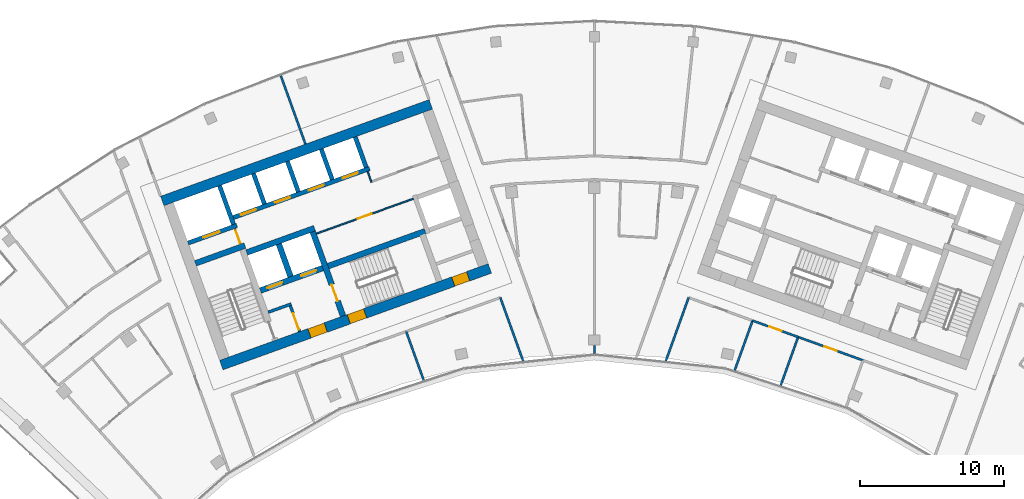
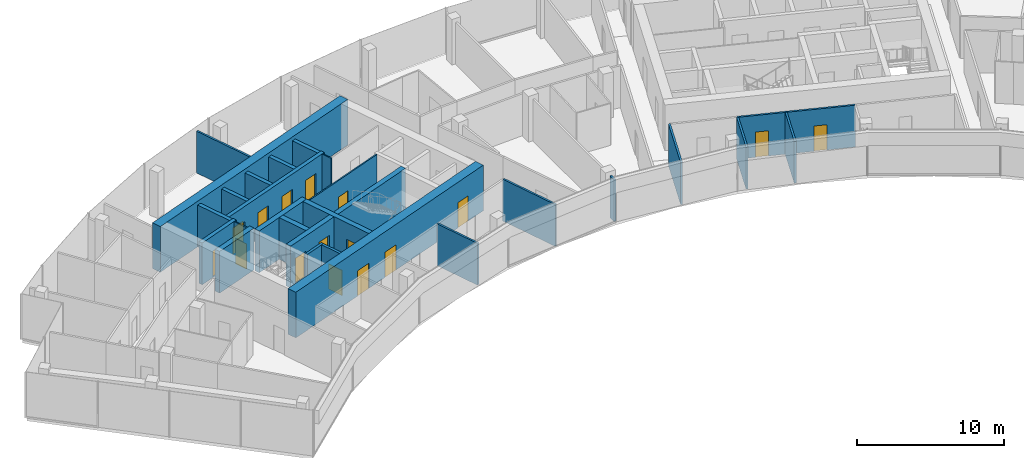
# One storey, part 13 of 18: 28 walls, 16 doors, 16 openings.
"""IFC4 building model written with IfcOpenShell, lengths in metres."""

from ifc_helpers import new_model, si_unit, direction, frame, frame_2d, origin, place, context, subcontext, project, spatial, rectangle, extrude, material, layer, layer_set, type_object, element, fill, save


model = new_model("IFC4")

# Units and contexts
model_context = context("Model", 3, precision=1e-05, world=origin(), true_north=direction((0.0, 1.0)))
body_context = subcontext(model_context, "Body", "Model", "MODEL_VIEW")
ifc_project = project(units=[si_unit("LENGTHUNIT", "METRE"), si_unit("AREAUNIT", "SQUARE_METRE"), si_unit("VOLUMEUNIT", "CUBIC_METRE"), si_unit("PLANEANGLEUNIT", "RADIAN"), si_unit("MASSUNIT", "GRAM", prefix="KILO")], contexts=[model_context])

# Site, building, storey
site_placement = place(None, origin())
site = spatial("IfcSite", under=ifc_project, at=site_placement, CompositionType="ELEMENT")
building_placement = place(site_placement, origin())
building = spatial("IfcBuilding", under=site, at=building_placement, Name="Stone Belt Terrace Tower", CompositionType="ELEMENT")
storey_placement = place(building_placement, frame((0.0, 0.0, 299.800048828125)))
storey = spatial("IfcBuildingStorey", under=building, at=storey_placement, Name="L73", CompositionType="ELEMENT", Elevation=299.800048828125)

# Wall, opening, door
ifc_material_1 = material(Name="Plasterboard partition")
ifc_layer_1 = layer(ifc_material_1, 0.10009765625)
ifc_layer_set_1 = layer_set([ifc_layer_1], Name="Core partition 100")
wall_type_1 = type_object("IfcWallType", Name="Core partition 100", PredefinedType="PARTITIONING", material=ifc_layer_set_1)
wall_1_placement = place(storey_placement, frame((-24.555908203125, 51.10400390625, 0.0), z_axis=(0.0, 0.0, 1.0), x_axis=(-0.338621735342, 0.94092258999, 0.0)))
wall_1 = element("IfcWall", 1, at=wall_1_placement, inside=storey, type_object=wall_type_1, Name="Core A wall", PredefinedType="PARTITIONING", context=body_context, shape_type="SweptSolid", body=[
    extrude(rectangle(XDim=1.14990234375, YDim=0.10009765625, at=frame_2d((0.574951171875, 0.0))), origin(), (0.0, 0.0, 1.0), 3.47998046875),
])
opening_1_placement = place(wall_1_placement, frame((0.050048828125, 0.0, 0.0)))
opening_1 = element("IfcOpeningElement", 2, at=opening_1_placement, cuts=wall_1, Name="Opening L73-C03", PredefinedType="OPENING", context=body_context, shape_type="SweptSolid", body=[
    extrude(rectangle(XDim=1.0, YDim=2.10009765625, at=frame_2d((0.5, 1.050048828125))), frame((0.0, 0.06005859375, 0.0), z_axis=(0.0, -1.0, 0.0), x_axis=(1.0, 0.0, 0.0)), (0.0, 0.0, 1.0), 0.1201171875),
])
ifc_material_2 = material(Name="Timber door leaf", Category="wood")
door_type_1 = type_object("IfcDoorType", Name="Core room door 1000", OperationType="SINGLE_SWING_LEFT", PredefinedType="DOOR", material=ifc_material_2)
door_1_placement = place(opening_1_placement, origin())
door_1 = element("IfcDoor", 3, at=door_1_placement, inside=storey, type_object=door_type_1, Name="Service lift lobby door core A", OperationType="SINGLE_SWING_LEFT", OverallHeight=2.10009765625, OverallWidth=1.0, PredefinedType="DOOR", context=body_context, shape_type="SweptSolid", body=[
    extrude(rectangle(XDim=1.0, YDim=2.10009765625, at=frame_2d((0.5, 1.050048828125))), frame((0.0, 0.02490234375, 0.0), z_axis=(0.0, -1.0, 0.0), x_axis=(1.0, 0.0, 0.0)), (0.0, 0.0, 1.0), 0.050048828125),
])
fill(opening_1, door_1)

wall_2_placement = place(storey_placement, frame((-19.29052734375, 51.829833984375, 0.0), z_axis=(0.0, 0.0, 1.0), x_axis=(0.94092179465, 0.338623945331, 0.0)))
wall_2 = element("IfcWall", 4, at=wall_2_placement, inside=storey, type_object=wall_type_1, Name="Core A wall", PredefinedType="PARTITIONING", context=body_context, shape_type="SweptSolid", body=[
    extrude(rectangle(XDim=7.14990234375, YDim=0.10009765625, at=frame_2d((3.574951171875, 0.0))), origin(), (0.0, 0.0, 1.0), 3.47998046875),
])
opening_2_placement = place(wall_2_placement, frame((3.050048828125, 0.0, 0.0)))
opening_2 = element("IfcOpeningElement", 5, at=opening_2_placement, cuts=wall_2, Name="Opening L73-C02", PredefinedType="OPENING", context=body_context, shape_type="SweptSolid", body=[
    extrude(rectangle(XDim=1.0, YDim=2.10009765625, at=frame_2d((0.5, 1.050048828125))), frame((0.0, 0.06005859375, 0.0), z_axis=(0.0, -1.0, 0.0), x_axis=(1.0, 0.0, 0.0)), (0.0, 0.0, 1.0), 0.1201171875),
])
door_2_placement = place(opening_2_placement, origin())
door_2 = element("IfcDoor", 6, at=door_2_placement, inside=storey, type_object=door_type_1, Name="Door to Electrical room core A", OperationType="SINGLE_SWING_LEFT", OverallHeight=2.10009765625, OverallWidth=1.0, PredefinedType="DOOR", context=body_context, shape_type="SweptSolid", body=[
    extrude(rectangle(XDim=1.0, YDim=2.10009765625, at=frame_2d((0.5, 1.050048828125))), frame((0.0, 0.02490234375, 0.0), z_axis=(0.0, -1.0, 0.0), x_axis=(1.0, 0.0, 0.0)), (0.0, 0.0, 1.0), 0.050048828125),
])
fill(opening_2, door_2)

# Wall
wall_3_placement = place(storey_placement, frame((-15.46826171875, 55.384033203125, 0.0), z_axis=(0.0, 0.0, 1.0), x_axis=(-0.338481684961, 0.940972979923, 0.0)))
element("IfcWall", 7, at=wall_3_placement, inside=storey, type_object=wall_type_1, Name="Core A wall", PredefinedType="PARTITIONING", context=body_context, shape_type="SweptSolid", body=[
    extrude(rectangle(XDim=0.7998046875, YDim=0.10009765625, at=frame_2d((0.39990234375, 0.0))), origin(), (0.0, 0.0, 1.0), 3.47998046875),
])

# Wall, openings, doors
ifc_material_3 = material(Name="Concrete B60", Category="concrete")
ifc_layer_2 = layer(ifc_material_3, 0.699951171875)
ifc_layer_set_2 = layer_set([ifc_layer_2], Name="Core wall 700 B60")
wall_type_2 = type_object("IfcWallType", Name="Core wall 700 B60", PredefinedType="SHEAR", material=ifc_layer_set_2)
wall_4_placement = place(storey_placement, frame((-25.890869140625, 42.705810546875, 0.0), z_axis=(0.0, 0.0, 1.0), x_axis=(0.940925130461, 0.338614676094, 0.0)))
wall_4 = element("IfcWall", 8, at=wall_4_placement, inside=storey, type_object=wall_type_2, Name="Core A wall concave L73", PredefinedType="SHEAR", context=body_context, shape_type="SweptSolid", body=[
    extrude(rectangle(XDim=19.800048828125, YDim=0.699951171875, at=frame_2d((9.89990234375, 0.0))), origin(), (0.0, 0.0, 1.0), 3.800048828125),
])
opening_3_placement = place(wall_4_placement, frame((6.5, 0.0, 0.0)))
opening_3 = element("IfcOpeningElement", 9, at=opening_3_placement, cuts=wall_4, Name="Opening L73-C07", PredefinedType="OPENING", context=body_context, shape_type="SweptSolid", body=[
    extrude(rectangle(XDim=1.199951171875, YDim=2.10009765625, at=frame_2d((0.60009765625, 1.050048828125))), frame((0.0, 0.35986328125, 0.0), z_axis=(0.0, -1.0, 0.0), x_axis=(1.0, 0.0, 0.0)), (0.0, 0.0, 1.0), 0.719970703125),
])
opening_4_placement = place(wall_4_placement, frame((9.39990234375, 0.0, 0.0)))
opening_4 = element("IfcOpeningElement", 10, at=opening_4_placement, cuts=wall_4, Name="Opening L73-C09", PredefinedType="OPENING", context=body_context, shape_type="SweptSolid", body=[
    extrude(rectangle(XDim=1.199951171875, YDim=2.10009765625, at=frame_2d((0.60009765625, 1.050048828125))), frame((0.0, 0.35986328125, 0.0), z_axis=(0.0, -1.0, 0.0), x_axis=(1.0, 0.0, 0.0)), (0.0, 0.0, 1.0), 0.719970703125),
])
opening_5_placement = place(wall_4_placement, frame((17.10009765625, 0.0, 0.0)))
opening_5 = element("IfcOpeningElement", 11, at=opening_5_placement, cuts=wall_4, Name="Opening L73-C11", PredefinedType="OPENING", context=body_context, shape_type="SweptSolid", body=[
    extrude(rectangle(XDim=1.10009765625, YDim=2.10009765625, at=frame_2d((0.550048828125, 1.050048828125))), frame((0.0, 0.35986328125, 0.0), z_axis=(0.0, -1.0, 0.0), x_axis=(1.0, 0.0, 0.0)), (0.0, 0.0, 1.0), 0.719970703125),
])
door_type_2 = type_object("IfcDoorType", Name="Core room door 1100", OperationType="SINGLE_SWING_LEFT", PredefinedType="DOOR", material=ifc_material_2)
door_3_placement = place(opening_5_placement, origin())
door_3 = element("IfcDoor", 12, at=door_3_placement, inside=storey, type_object=door_type_2, Name="Door to Pipe riser core A", OperationType="SINGLE_SWING_LEFT", OverallHeight=2.10009765625, OverallWidth=1.10009765625, PredefinedType="DOOR", context=body_context, shape_type="SweptSolid", body=[
    extrude(rectangle(XDim=1.10009765625, YDim=2.10009765625, at=frame_2d((0.550048828125, 1.050048828125))), frame((0.0, 0.330078125, 0.0), z_axis=(0.0, -1.0, 0.0), x_axis=(1.0, 0.0, 0.0)), (0.0, 0.0, 1.0), 0.659912109375),
])
fill(opening_5, door_3)
ifc_material_4 = material(Name="Steel door leaf", Category="steel")
door_type_3 = type_object("IfcDoorType", Name="Fire-fighting lobby door 1200", OperationType="SINGLE_SWING_LEFT", PredefinedType="DOOR", material=ifc_material_4)
door_4_placement = place(opening_3_placement, origin())
door_4 = element("IfcDoor", 13, at=door_4_placement, inside=storey, type_object=door_type_3, Name="Fire-fighting lobby door core A", OperationType="SINGLE_SWING_LEFT", OverallHeight=2.10009765625, OverallWidth=1.199951171875, PredefinedType="DOOR", context=body_context, shape_type="SweptSolid", body=[
    extrude(rectangle(XDim=1.199951171875, YDim=2.10009765625, at=frame_2d((0.60009765625, 1.050048828125))), frame((0.0, 0.330078125, 0.0), z_axis=(0.0, -1.0, 0.0), x_axis=(1.0, 0.0, 0.0)), (0.0, 0.0, 1.0), 0.659912109375),
])
fill(opening_3, door_4)
door_type_4 = type_object("IfcDoorType", Name="Stair door 1200", OperationType="SINGLE_SWING_LEFT", PredefinedType="DOOR", material=ifc_material_4)
door_5_placement = place(opening_4_placement, origin())
door_5 = element("IfcDoor", 14, at=door_5_placement, inside=storey, type_object=door_type_4, Name="Stair 2 exit door core A", OperationType="SINGLE_SWING_RIGHT", OverallHeight=2.10009765625, OverallWidth=1.199951171875, PredefinedType="DOOR", context=body_context, shape_type="SweptSolid", body=[
    extrude(rectangle(XDim=1.199951171875, YDim=2.10009765625, at=frame_2d((0.60009765625, 1.050048828125))), frame((0.0, 0.330078125, 0.0), z_axis=(0.0, -1.0, 0.0), x_axis=(1.0, 0.0, 0.0)), (0.0, 0.0, 1.0), 0.659912109375),
])
fill(opening_4, door_5)

# Walls
wall_5_placement = place(storey_placement, frame((-29.988037109375, 54.0908203125, 0.0), z_axis=(0.0, 0.0, 1.0), x_axis=(0.940919787944, 0.33862952124, 0.0)))
element("IfcWall", 15, at=wall_5_placement, inside=storey, type_object=wall_type_2, Name="Core A wall convex L73", PredefinedType="SHEAR", context=body_context, shape_type="SweptSolid", body=[
    extrude(rectangle(XDim=19.7998046875, YDim=0.699951171875, at=frame_2d((9.89990234375, 0.0))), origin(), (0.0, 0.0, 1.0), 3.800048828125),
])
ifc_material_5 = material(Name="Concrete B80", Category="concrete")
ifc_layer_3 = layer(ifc_material_5, 0.39990234375)
ifc_layer_set_3 = layer_set([ifc_layer_3], Name="Fire-fighting lift shaft wall 400")
wall_type_3 = type_object("IfcWallType", Name="Fire-fighting lift shaft wall 400", PredefinedType="SHEAR", material=ifc_layer_set_3)
wall_6_placement = place(storey_placement, frame((-24.130615234375, 50.512939453125, 0.0), z_axis=(0.0, 0.0, 1.0), x_axis=(0.94091168377, 0.338652038744, 0.0)))
element("IfcWall", 16, at=wall_6_placement, inside=storey, type_object=wall_type_3, Name="Core A wall", PredefinedType="SHEAR", context=body_context, shape_type="SweptSolid", body=[
    extrude(rectangle(XDim=5.000244140625, YDim=0.39990234375, at=frame_2d((2.5, 0.0))), origin(), (0.0, 0.0, 1.0), 3.47998046875),
])
wall_7_placement = place(storey_placement, frame((-21.0859375, 48.845458984375, 0.0), z_axis=(0.0, 0.0, 1.0), x_axis=(-0.338629416206, 0.940919825745, 0.0)))
element("IfcWall", 17, at=wall_7_placement, inside=storey, type_object=wall_type_3, Name="Core A wall", PredefinedType="SHEAR", context=body_context, shape_type="SweptSolid", body=[
    extrude(rectangle(XDim=2.400146484375, YDim=0.39990234375, at=frame_2d((1.2001953125, 0.0))), origin(), (0.0, 0.0, 1.0), 3.47998046875),
])

# Wall, opening, door
ifc_layer_4 = layer(ifc_material_5, 0.300048828125)
ifc_layer_set_4 = layer_set([ifc_layer_4], Name="Lift shaft wall 300")
wall_type_4 = type_object("IfcWallType", Name="Lift shaft wall 300", PredefinedType="SHEAR", material=ifc_layer_set_4)
wall_8_placement = place(storey_placement, frame((-28.195068359375, 51.17578125, 0.0), z_axis=(0.0, 0.0, 1.0), x_axis=(0.940901243567, 0.338681044427, 0.0)))
wall_8 = element("IfcWall", 18, at=wall_8_placement, inside=storey, type_object=wall_type_4, Name="Core A wall", PredefinedType="SHEAR", context=body_context, shape_type="SweptSolid", body=[
    extrude(rectangle(XDim=3.599853515625, YDim=0.300048828125, at=frame_2d((1.7998046875, 0.0))), origin(), (0.0, 0.0, 1.0), 3.47998046875),
])
opening_6_placement = place(wall_8_placement, frame((1.1201171875, 0.0, 0.0)))
opening_6 = element("IfcOpeningElement", 19, at=opening_6_placement, cuts=wall_8, Name="Opening L73-LD07", PredefinedType="OPENING", context=body_context, shape_type="SweptSolid", body=[
    extrude(rectangle(XDim=1.199951171875, YDim=2.199951171875, at=frame_2d((0.60009765625, 1.10009765625))), frame((0.0, 0.159912109375, 0.0), z_axis=(0.0, -1.0, 0.0), x_axis=(1.0, 0.0, 0.0)), (0.0, 0.0, 1.0), 0.320068359375),
])
ifc_material_6 = material(Name="Stainless steel door leaf", Category="steel")
door_type_5 = type_object("IfcDoorType", Name="Landing door 1200", OperationType="SLIDING_TO_LEFT", PredefinedType="DOOR", material=ifc_material_6)
door_6_placement = place(opening_6_placement, origin())
door_6 = element("IfcDoor", 20, at=door_6_placement, inside=storey, type_object=door_type_5, Name="Landing door SV1 core A", OperationType="SLIDING_TO_LEFT", OverallHeight=2.199951171875, OverallWidth=1.199951171875, PredefinedType="DOOR", context=body_context, shape_type="SweptSolid", body=[
    extrude(rectangle(XDim=1.199951171875, YDim=2.199951171875, at=frame_2d((0.60009765625, 1.10009765625))), frame((0.0, 0.02490234375, 0.0), z_axis=(0.0, -1.0, 0.0), x_axis=(1.0, 0.0, 0.0)), (0.0, 0.0, 1.0), 0.050048828125),
])
fill(opening_6, door_6)

# Wall
wall_9_placement = place(storey_placement, frame((-25.046875, 52.46826171875, 0.0), z_axis=(0.0, 0.0, 1.0), x_axis=(-0.338549588058, 0.940948551423, 0.0)))
element("IfcWall", 21, at=wall_9_placement, inside=storey, type_object=wall_type_4, Name="Core A wall", PredefinedType="SHEAR", context=body_context, shape_type="SweptSolid", body=[
    extrude(rectangle(XDim=2.849853515625, YDim=0.300048828125, at=frame_2d((1.4248046875, 0.0))), origin(), (0.0, 0.0, 1.0), 3.47998046875),
])

# Wall, openings, doors
wall_10_placement = place(storey_placement, frame((-25.05810546875, 52.9423828125, 0.0), z_axis=(0.0, 0.0, 1.0), x_axis=(0.940917446785, 0.338636026339, 0.0)))
wall_10 = element("IfcWall", 22, at=wall_10_placement, inside=storey, type_object=wall_type_4, Name="Core A wall", PredefinedType="SHEAR", context=body_context, shape_type="SweptSolid", body=[
    extrude(rectangle(XDim=10.050048828125, YDim=0.300048828125, at=frame_2d((5.02490234375, 0.0))), origin(), (0.0, 0.0, 1.0), 3.47998046875),
])
opening_7_placement = place(wall_10_placement, frame((0.570068359375, 0.0, 0.0)))
opening_7 = element("IfcOpeningElement", 23, at=opening_7_placement, cuts=wall_10, Name="Opening L73-LD01", PredefinedType="OPENING", context=body_context, shape_type="SweptSolid", body=[
    extrude(rectangle(XDim=1.10009765625, YDim=2.199951171875, at=frame_2d((0.550048828125, 1.10009765625))), frame((0.0, 0.159912109375, 0.0), z_axis=(0.0, -1.0, 0.0), x_axis=(1.0, 0.0, 0.0)), (0.0, 0.0, 1.0), 0.320068359375),
])
opening_8_placement = place(wall_10_placement, frame((3.070068359375, 0.0, 0.0)))
opening_8 = element("IfcOpeningElement", 24, at=opening_8_placement, cuts=wall_10, Name="Opening L73-LD02", PredefinedType="OPENING", context=body_context, shape_type="SweptSolid", body=[
    extrude(rectangle(XDim=1.10009765625, YDim=2.199951171875, at=frame_2d((0.550048828125, 1.10009765625))), frame((0.0, 0.159912109375, 0.0), z_axis=(0.0, -1.0, 0.0), x_axis=(1.0, 0.0, 0.0)), (0.0, 0.0, 1.0), 0.320068359375),
])
opening_9_placement = place(wall_10_placement, frame((5.570068359375, 0.0, 0.0)))
opening_9 = element("IfcOpeningElement", 25, at=opening_9_placement, cuts=wall_10, Name="Opening L73-LD03", PredefinedType="OPENING", context=body_context, shape_type="SweptSolid", body=[
    extrude(rectangle(XDim=1.10009765625, YDim=2.199951171875, at=frame_2d((0.550048828125, 1.10009765625))), frame((0.0, 0.159912109375, 0.0), z_axis=(0.0, -1.0, 0.0), x_axis=(1.0, 0.0, 0.0)), (0.0, 0.0, 1.0), 0.320068359375),
])
opening_10_placement = place(wall_10_placement, frame((8.070068359375, 0.0, 0.0)))
opening_10 = element("IfcOpeningElement", 26, at=opening_10_placement, cuts=wall_10, Name="Opening L73-LD04", PredefinedType="OPENING", context=body_context, shape_type="SweptSolid", body=[
    extrude(rectangle(XDim=1.10009765625, YDim=2.199951171875, at=frame_2d((0.550048828125, 1.10009765625))), frame((0.0, 0.159912109375, 0.0), z_axis=(0.0, -1.0, 0.0), x_axis=(1.0, 0.0, 0.0)), (0.0, 0.0, 1.0), 0.320068359375),
])
door_type_6 = type_object("IfcDoorType", Name="Landing door 1100", OperationType="SLIDING_TO_LEFT", PredefinedType="DOOR", material=ifc_material_6)
door_7_placement = place(opening_7_placement, origin())
door_7 = element("IfcDoor", 27, at=door_7_placement, inside=storey, type_object=door_type_6, Name="Landing door HR1 core A", OperationType="SLIDING_TO_LEFT", OverallHeight=2.199951171875, OverallWidth=1.10009765625, PredefinedType="DOOR", context=body_context, shape_type="SweptSolid", body=[
    extrude(rectangle(XDim=1.10009765625, YDim=2.199951171875, at=frame_2d((0.550048828125, 1.10009765625))), frame((0.0, 0.02490234375, 0.0), z_axis=(0.0, -1.0, 0.0), x_axis=(1.0, 0.0, 0.0)), (0.0, 0.0, 1.0), 0.050048828125),
])
fill(opening_7, door_7)
door_8_placement = place(opening_8_placement, origin())
door_8 = element("IfcDoor", 28, at=door_8_placement, inside=storey, type_object=door_type_6, Name="Landing door HR2 core A", OperationType="SLIDING_TO_LEFT", OverallHeight=2.199951171875, OverallWidth=1.10009765625, PredefinedType="DOOR", context=body_context, shape_type="SweptSolid", body=[
    extrude(rectangle(XDim=1.10009765625, YDim=2.199951171875, at=frame_2d((0.550048828125, 1.10009765625))), frame((0.0, 0.02490234375, 0.0), z_axis=(0.0, -1.0, 0.0), x_axis=(1.0, 0.0, 0.0)), (0.0, 0.0, 1.0), 0.050048828125),
])
fill(opening_8, door_8)
door_9_placement = place(opening_9_placement, origin())
door_9 = element("IfcDoor", 29, at=door_9_placement, inside=storey, type_object=door_type_6, Name="Landing door HR3 core A", OperationType="SLIDING_TO_LEFT", OverallHeight=2.199951171875, OverallWidth=1.10009765625, PredefinedType="DOOR", context=body_context, shape_type="SweptSolid", body=[
    extrude(rectangle(XDim=1.10009765625, YDim=2.199951171875, at=frame_2d((0.550048828125, 1.10009765625))), frame((0.0, 0.02490234375, 0.0), z_axis=(0.0, -1.0, 0.0), x_axis=(1.0, 0.0, 0.0)), (0.0, 0.0, 1.0), 0.050048828125),
])
fill(opening_9, door_9)
door_10_placement = place(opening_10_placement, origin())
door_10 = element("IfcDoor", 30, at=door_10_placement, inside=storey, type_object=door_type_6, Name="Landing door HR4 core A", OperationType="SLIDING_TO_LEFT", OverallHeight=2.199951171875, OverallWidth=1.10009765625, PredefinedType="DOOR", context=body_context, shape_type="SweptSolid", body=[
    extrude(rectangle(XDim=1.10009765625, YDim=2.199951171875, at=frame_2d((0.550048828125, 1.10009765625))), frame((0.0, 0.02490234375, 0.0), z_axis=(0.0, -1.0, 0.0), x_axis=(1.0, 0.0, 0.0)), (0.0, 0.0, 1.0), 0.050048828125),
])
fill(opening_10, door_10)

# Walls
wall_11_placement = place(storey_placement, frame((-22.897705078125, 53.87939453125, 0.0), z_axis=(0.0, 0.0, 1.0), x_axis=(-0.338535034312, 0.940953787677, 0.0)))
element("IfcWall", 31, at=wall_11_placement, inside=storey, type_object=wall_type_4, Name="Core A wall", PredefinedType="SHEAR", context=body_context, shape_type="SweptSolid", body=[
    extrude(rectangle(XDim=2.25, YDim=0.300048828125, at=frame_2d((1.125, 0.0))), origin(), (0.0, 0.0, 1.0), 3.47998046875),
])
wall_12_placement = place(storey_placement, frame((-20.54541015625, 54.72607421875, 0.0), z_axis=(0.0, 0.0, 1.0), x_axis=(-0.338569601369, 0.940941350472, 0.0)))
element("IfcWall", 32, at=wall_12_placement, inside=storey, type_object=wall_type_4, Name="Core A wall", PredefinedType="SHEAR", context=body_context, shape_type="SweptSolid", body=[
    extrude(rectangle(XDim=2.249755859375, YDim=0.300048828125, at=frame_2d((1.125, 0.0))), origin(), (0.0, 0.0, 1.0), 3.47998046875),
])
wall_13_placement = place(storey_placement, frame((-18.193115234375, 55.572509765625, 0.0), z_axis=(0.0, 0.0, 1.0), x_axis=(-0.338535034312, 0.940953787677, 0.0)))
element("IfcWall", 33, at=wall_13_placement, inside=storey, type_object=wall_type_4, Name="Core A wall", PredefinedType="SHEAR", context=body_context, shape_type="SweptSolid", body=[
    extrude(rectangle(XDim=2.25, YDim=0.300048828125, at=frame_2d((1.125, 0.0))), origin(), (0.0, 0.0, 1.0), 3.47998046875),
])
wall_14_placement = place(storey_placement, frame((-15.8408203125, 56.419189453125, 0.0), z_axis=(0.0, 0.0, 1.0), x_axis=(-0.338569601369, 0.940941350472, 0.0)))
element("IfcWall", 34, at=wall_14_placement, inside=storey, type_object=wall_type_4, Name="Core A wall", PredefinedType="SHEAR", context=body_context, shape_type="SweptSolid", body=[
    extrude(rectangle(XDim=2.249755859375, YDim=0.300048828125, at=frame_2d((1.125, 0.0))), origin(), (0.0, 0.0, 1.0), 3.47998046875),
])
ifc_material_7 = material(Name="Gypsum board partition")
ifc_layer_5 = layer(ifc_material_7, 0.14990234375)
ifc_layer_set_5 = layer_set([ifc_layer_5], Name="PARTITION 150 EI 60")
wall_type_5 = type_object("IfcWallType", Name="PARTITION 150 EI 60", PredefinedType="PARTITIONING", material=ifc_layer_set_5)
wall_15_placement = place(storey_placement, frame((-4.9462890625, 42.980224609375, 0.0), z_axis=(0.0, 0.0, 1.0), x_axis=(-0.338653121837, 0.940911293943, 0.0)))
element("IfcWall", 35, at=wall_15_placement, inside=storey, type_object=wall_type_5, Name="L73/wall/i009", PredefinedType="PARTITIONING", context=body_context, shape_type="SweptSolid", body=[
    extrude(rectangle(XDim=4.69091796875, YDim=0.14990234375, at=frame_2d((2.345458984375, 0.0))), origin(), (0.0, 0.0, 1.0), 3.47998046875),
])
wall_16_placement = place(storey_placement, frame((-13.06591796875, 45.035888671875, 0.0), z_axis=(0.0, 0.0, 1.0), x_axis=(0.338542216534, -0.940951203636, 0.0)))
element("IfcWall", 36, at=wall_16_placement, inside=storey, type_object=wall_type_5, Name="L73/wall/i021", PredefinedType="PARTITIONING", context=body_context, shape_type="SweptSolid", body=[
    extrude(rectangle(XDim=3.609375, YDim=0.14990234375, at=frame_2d((1.8046875, 0.0))), origin(), (0.0, 0.0, 1.0), 3.47998046875),
])
wall_17_placement = place(storey_placement, frame((-21.761962890625, 62.780029296875, 0.0), z_axis=(0.0, 0.0, 1.0), x_axis=(0.338645719625, -0.940913958117, 0.0)))
element("IfcWall", 37, at=wall_17_placement, inside=storey, type_object=wall_type_5, Name="L73/wall/i022", PredefinedType="PARTITIONING", context=body_context, shape_type="SweptSolid", body=[
    extrude(rectangle(XDim=5.040771484375, YDim=0.14990234375, at=frame_2d((2.5205078125, 0.0))), origin(), (0.0, 0.0, 1.0), 3.47998046875),
])
wall_18_placement = place(storey_placement, frame((6.534912109375, 47.39404296875, 0.0), z_axis=(0.0, 0.0, 1.0), x_axis=(-0.338653121837, -0.940911293943, 0.0)))
element("IfcWall", 38, at=wall_18_placement, inside=storey, type_object=wall_type_5, Name="L73/wall/i023", PredefinedType="PARTITIONING", context=body_context, shape_type="SweptSolid", body=[
    extrude(rectangle(XDim=4.69091796875, YDim=0.14990234375, at=frame_2d((2.345458984375, 0.0))), origin(), (0.0, 0.0, 1.0), 3.47998046875),
])

# Wall, opening, door
wall_19_placement = place(storey_placement, frame((14.135986328125, 44.652099609375, 0.0), z_axis=(0.0, 0.0, 1.0), x_axis=(-0.940982474793, 0.338455288232, 0.0)))
wall_19 = element("IfcWall", 39, at=wall_19_placement, inside=storey, type_object=wall_type_5, Name="L73/wall/i034", PredefinedType="PARTITIONING", context=body_context, shape_type="SweptSolid", body=[
    extrude(rectangle(XDim=3.370849609375, YDim=0.14990234375, at=frame_2d((1.685546875, 0.0))), origin(), (0.0, 0.0, 1.0), 3.47998046875),
])
opening_11_placement = place(wall_19_placement, frame((1.235595703125, 0.0, 0.0)))
opening_11 = element("IfcOpeningElement", 40, at=opening_11_placement, cuts=wall_19, Name="Opening D-E5-08", PredefinedType="OPENING", context=body_context, shape_type="SweptSolid", body=[
    extrude(rectangle(XDim=0.89990234375, YDim=2.10009765625, at=frame_2d((0.449951171875, 1.050048828125))), frame((0.0, 0.0849609375, 0.0), z_axis=(0.0, -1.0, 0.0), x_axis=(1.0, 0.0, 0.0)), (0.0, 0.0, 1.0), 0.169921875),
])
door_type_7 = type_object("IfcDoorType", Name="OFFICE DOOR 900 X 2100", OperationType="NOTDEFINED", PredefinedType="DOOR", material=ifc_material_2)
door_11_placement = place(opening_11_placement, origin())
door_11 = element("IfcDoor", 41, at=door_11_placement, inside=storey, type_object=door_type_7, Name="L73/door/i08", OperationType="SINGLE_SWING_RIGHT", OverallHeight=2.10009765625, OverallWidth=0.89990234375, PredefinedType="DOOR", context=body_context, shape_type="SweptSolid", body=[
    extrude(rectangle(XDim=0.89990234375, YDim=2.10009765625, at=frame_2d((0.449951171875, 1.050048828125))), frame((0.0, 0.02490234375, 0.0), z_axis=(0.0, -1.0, 0.0), x_axis=(1.0, 0.0, 0.0)), (0.0, 0.0, 1.0), 0.050048828125),
])
fill(opening_11, door_11)

wall_20_placement = place(storey_placement, frame((18.635009765625, 43.032958984375, 0.0), z_axis=(0.0, 0.0, 1.0), x_axis=(-0.94092441718, 0.338616658118, 0.0)))
wall_20 = element("IfcWall", 42, at=wall_20_placement, inside=storey, type_object=wall_type_5, Name="L73/wall/i035", PredefinedType="PARTITIONING", context=body_context, shape_type="SweptSolid", body=[
    extrude(rectangle(XDim=4.793212890625, YDim=0.14990234375, at=frame_2d((2.396484375, 0.0))), origin(), (0.0, 0.0, 1.0), 3.47998046875),
])
opening_12_placement = place(wall_20_placement, frame((1.946533203125, 0.0, 0.0)))
opening_12 = element("IfcOpeningElement", 43, at=opening_12_placement, cuts=wall_20, Name="Opening D-E5-09", PredefinedType="OPENING", context=body_context, shape_type="SweptSolid", body=[
    extrude(rectangle(XDim=0.89990234375, YDim=2.10009765625, at=frame_2d((0.449951171875, 1.050048828125))), frame((0.0, 0.0849609375, 0.0), z_axis=(0.0, -1.0, 0.0), x_axis=(1.0, 0.0, 0.0)), (0.0, 0.0, 1.0), 0.169921875),
])
door_12_placement = place(opening_12_placement, origin())
door_12 = element("IfcDoor", 44, at=door_12_placement, inside=storey, type_object=door_type_7, Name="L73/door/i09", OperationType="SINGLE_SWING_RIGHT", OverallHeight=2.10009765625, OverallWidth=0.89990234375, PredefinedType="DOOR", context=body_context, shape_type="SweptSolid", body=[
    extrude(rectangle(XDim=0.89990234375, YDim=2.10009765625, at=frame_2d((0.449951171875, 1.050048828125))), frame((0.0, 0.02490234375, 0.0), z_axis=(0.0, -1.0, 0.0), x_axis=(1.0, 0.0, 0.0)), (0.0, 0.0, 1.0), 0.050048828125),
])
fill(opening_12, door_12)

# Walls
wall_21_placement = place(storey_placement, frame((10.969970703125, 45.791015625, 0.0), z_axis=(0.0, 0.0, 1.0), x_axis=(-0.338747659222, -0.94087726265, 0.0)))
element("IfcWall", 45, at=wall_21_placement, inside=storey, type_object=wall_type_5, Name="L73/wall/i037", PredefinedType="PARTITIONING", context=body_context, shape_type="SweptSolid", body=[
    extrude(rectangle(XDim=3.679931640625, YDim=0.14990234375, at=frame_2d((1.83984375, 0.0))), origin(), (0.0, 0.0, 1.0), 3.47998046875),
])
wall_22_placement = place(storey_placement, frame((14.1298828125, 44.653076171875, 0.0), z_axis=(0.0, 0.0, 1.0), x_axis=(-0.338680765461, -0.940901343982, 0.0)))
element("IfcWall", 46, at=wall_22_placement, inside=storey, type_object=wall_type_5, Name="L73/wall/i038", PredefinedType="PARTITIONING", context=body_context, shape_type="SweptSolid", body=[
    extrude(rectangle(XDim=3.573974609375, YDim=0.14990234375, at=frame_2d((1.787109375, 0.0))), origin(), (0.0, 0.0, 1.0), 3.47998046875),
])
wall_23_placement = place(storey_placement, frame((0.0, 44.06494140625, 0.0), z_axis=(0.0, 0.0, 1.0), x_axis=(0.0, -1.0, 0.0)))
element("IfcWall", 47, at=wall_23_placement, inside=storey, type_object=wall_type_5, Name="L73/wall/i098", PredefinedType="PARTITIONING", context=body_context, shape_type="SweptSolid", body=[
    extrude(rectangle(XDim=0.56494140625, YDim=0.14990234375, at=frame_2d((0.282470703125, 0.0))), origin(), (0.0, 0.0, 1.0), 3.47998046875),
])
ifc_material_8 = material(Name="Concrete masonry block", Category="masonry")
ifc_layer_6 = layer(ifc_material_8, 0.199951171875)
ifc_layer_set_6 = layer_set([ifc_layer_6], Name="Rated lobby wall 200")
wall_type_6 = type_object("IfcWallType", Name="Rated lobby wall 200", PredefinedType="PARTITIONING", material=ifc_layer_set_6)
wall_24_placement = place(storey_placement, frame((-22.640625, 46.373046875, 0.0), z_axis=(0.0, 0.0, 1.0), x_axis=(0.940966110313, 0.338500781747, 0.0)))
element("IfcWall", 48, at=wall_24_placement, inside=storey, type_object=wall_type_6, Name="Core A wall", PredefinedType="PARTITIONING", context=body_context, shape_type="SweptSolid", body=[
    extrude(rectangle(XDim=1.699951171875, YDim=0.199951171875, at=frame_2d((0.85009765625, 0.0))), origin(), (0.0, 0.0, 1.0), 3.47998046875),
])

# Wall, opening, door
wall_25_placement = place(storey_placement, frame((-20.4580078125, 45.032958984375, 0.0), z_axis=(0.0, 0.0, 1.0), x_axis=(-0.338573865316, 0.940939816208, 0.0)))
wall_25 = element("IfcWall", 49, at=wall_25_placement, inside=storey, type_object=wall_type_6, Name="Core A wall", PredefinedType="PARTITIONING", context=body_context, shape_type="SweptSolid", body=[
    extrude(rectangle(XDim=1.900146484375, YDim=0.199951171875, at=frame_2d((0.9501953125, 0.0))), origin(), (0.0, 0.0, 1.0), 3.47998046875),
])
opening_13_placement = place(wall_25_placement, frame((0.14990234375, 0.0, 0.0)))
opening_13 = element("IfcOpeningElement", 50, at=opening_13_placement, cuts=wall_25, Name="Opening L73-C06", PredefinedType="OPENING", context=body_context, shape_type="SweptSolid", body=[
    extrude(rectangle(XDim=1.199951171875, YDim=2.10009765625, at=frame_2d((0.60009765625, 1.050048828125))), frame((0.0, 0.10986328125, 0.0), z_axis=(0.0, -1.0, 0.0), x_axis=(1.0, 0.0, 0.0)), (0.0, 0.0, 1.0), 0.219970703125),
])
door_13_placement = place(opening_13_placement, origin())
door_13 = element("IfcDoor", 51, at=door_13_placement, inside=storey, type_object=door_type_4, Name="Stair airlock door core A", OperationType="SINGLE_SWING_LEFT", OverallHeight=2.10009765625, OverallWidth=1.199951171875, PredefinedType="DOOR", context=body_context, shape_type="SweptSolid", body=[
    extrude(rectangle(XDim=1.199951171875, YDim=2.10009765625, at=frame_2d((0.60009765625, 1.050048828125))), frame((0.0, 0.02490234375, 0.0), z_axis=(0.0, -1.0, 0.0), x_axis=(1.0, 0.0, 0.0)), (0.0, 0.0, 1.0), 0.050048828125),
])
fill(opening_13, door_13)

# Wall
ifc_layer_7 = layer(ifc_material_5, 0.39990234375)
ifc_layer_set_7 = layer_set([ifc_layer_7], Name="Stair enclosure wall 400")
wall_type_7 = type_object("IfcWallType", Name="Stair enclosure wall 400", PredefinedType="SHEAR", material=ifc_layer_set_7)
wall_26_placement = place(storey_placement, frame((-27.687255859375, 49.764404296875, 0.0), z_axis=(0.0, 0.0, 1.0), x_axis=(0.940918954884, 0.338631835981, 0.0)))
element("IfcWall", 52, at=wall_26_placement, inside=storey, type_object=wall_type_7, Name="Core A wall", PredefinedType="SHEAR", context=body_context, shape_type="SweptSolid", body=[
    extrude(rectangle(XDim=3.650146484375, YDim=0.39990234375, at=frame_2d((1.8251953125, 0.0))), origin(), (0.0, 0.0, 1.0), 3.47998046875),
])

# Wall, openings, doors
wall_27_placement = place(storey_placement, frame((-23.182373046875, 47.87841796875, 0.0), z_axis=(0.0, 0.0, 1.0), x_axis=(0.940921731919, 0.338624119641, 0.0)))
wall_27 = element("IfcWall", 53, at=wall_27_placement, inside=storey, type_object=wall_type_7, Name="Core A wall", PredefinedType="SHEAR", context=body_context, shape_type="SweptSolid", body=[
    extrude(rectangle(XDim=12.14990234375, YDim=0.39990234375, at=frame_2d((6.074951171875, 0.0))), origin(), (0.0, 0.0, 1.0), 3.47998046875),
])
opening_14_placement = place(wall_27_placement, frame((0.52001953125, 0.0, 0.0)))
opening_14 = element("IfcOpeningElement", 54, at=opening_14_placement, cuts=wall_27, Name="Opening L73-LD05", PredefinedType="OPENING", context=body_context, shape_type="SweptSolid", body=[
    extrude(rectangle(XDim=1.10009765625, YDim=2.199951171875, at=frame_2d((0.550048828125, 1.10009765625))), frame((0.0, 0.2099609375, 0.0), z_axis=(0.0, -1.0, 0.0), x_axis=(1.0, 0.0, 0.0)), (0.0, 0.0, 1.0), 0.419921875),
])
opening_15_placement = place(wall_27_placement, frame((3.02001953125, 0.0, 0.0)))
opening_15 = element("IfcOpeningElement", 55, at=opening_15_placement, cuts=wall_27, Name="Opening L73-LD06", PredefinedType="OPENING", context=body_context, shape_type="SweptSolid", body=[
    extrude(rectangle(XDim=1.10009765625, YDim=2.199951171875, at=frame_2d((0.550048828125, 1.10009765625))), frame((0.0, 0.2099609375, 0.0), z_axis=(0.0, -1.0, 0.0), x_axis=(1.0, 0.0, 0.0)), (0.0, 0.0, 1.0), 0.419921875),
])
door_14_placement = place(opening_14_placement, origin())
door_14 = element("IfcDoor", 56, at=door_14_placement, inside=storey, type_object=door_type_6, Name="Landing door FF1 core A", OperationType="SLIDING_TO_LEFT", OverallHeight=2.199951171875, OverallWidth=1.10009765625, PredefinedType="DOOR", context=body_context, shape_type="SweptSolid", body=[
    extrude(rectangle(XDim=1.10009765625, YDim=2.199951171875, at=frame_2d((0.550048828125, 1.10009765625))), frame((0.0, 0.02490234375, 0.0), z_axis=(0.0, -1.0, 0.0), x_axis=(1.0, 0.0, 0.0)), (0.0, 0.0, 1.0), 0.050048828125),
])
fill(opening_14, door_14)
door_15_placement = place(opening_15_placement, origin())
door_15 = element("IfcDoor", 57, at=door_15_placement, inside=storey, type_object=door_type_6, Name="Landing door FF2 core A", OperationType="SLIDING_TO_LEFT", OverallHeight=2.199951171875, OverallWidth=1.10009765625, PredefinedType="DOOR", context=body_context, shape_type="SweptSolid", body=[
    extrude(rectangle(XDim=1.10009765625, YDim=2.199951171875, at=frame_2d((0.550048828125, 1.10009765625))), frame((0.0, 0.02490234375, 0.0), z_axis=(0.0, -1.0, 0.0), x_axis=(1.0, 0.0, 0.0)), (0.0, 0.0, 1.0), 0.050048828125),
])
fill(opening_15, door_15)

# Wall, opening, door
wall_28_placement = place(storey_placement, frame((-17.447021484375, 46.116455078125, 0.0), z_axis=(0.0, 0.0, 1.0), x_axis=(-0.33860791464, 0.940927563707, 0.0)))
wall_28 = element("IfcWall", 58, at=wall_28_placement, inside=storey, type_object=wall_type_7, Name="Core A wall", PredefinedType="SHEAR", context=body_context, shape_type="SweptSolid", body=[
    extrude(rectangle(XDim=6.199951171875, YDim=0.39990234375, at=frame_2d((3.10009765625, 0.0))), origin(), (0.0, 0.0, 1.0), 3.47998046875),
])
opening_16_placement = place(wall_28_placement, frame((1.10009765625, 0.0, 0.0)))
opening_16 = element("IfcOpeningElement", 59, at=opening_16_placement, cuts=wall_28, Name="Opening L73-C08", PredefinedType="OPENING", context=body_context, shape_type="SweptSolid", body=[
    extrude(rectangle(XDim=1.199951171875, YDim=2.10009765625, at=frame_2d((0.60009765625, 1.050048828125))), frame((0.0, 0.2099609375, 0.0), z_axis=(0.0, -1.0, 0.0), x_axis=(1.0, 0.0, 0.0)), (0.0, 0.0, 1.0), 0.419921875),
])
door_16_placement = place(opening_16_placement, origin())
door_16 = element("IfcDoor", 60, at=door_16_placement, inside=storey, type_object=door_type_4, Name="Stair 2 door core A", OperationType="SINGLE_SWING_LEFT", OverallHeight=2.10009765625, OverallWidth=1.199951171875, PredefinedType="DOOR", context=body_context, shape_type="SweptSolid", body=[
    extrude(rectangle(XDim=1.199951171875, YDim=2.10009765625, at=frame_2d((0.60009765625, 1.050048828125))), frame((0.0, 0.02490234375, 0.0), z_axis=(0.0, -1.0, 0.0), x_axis=(1.0, 0.0, 0.0)), (0.0, 0.0, 1.0), 0.050048828125),
])
fill(opening_16, door_16)

save(model, "model.ifc")
